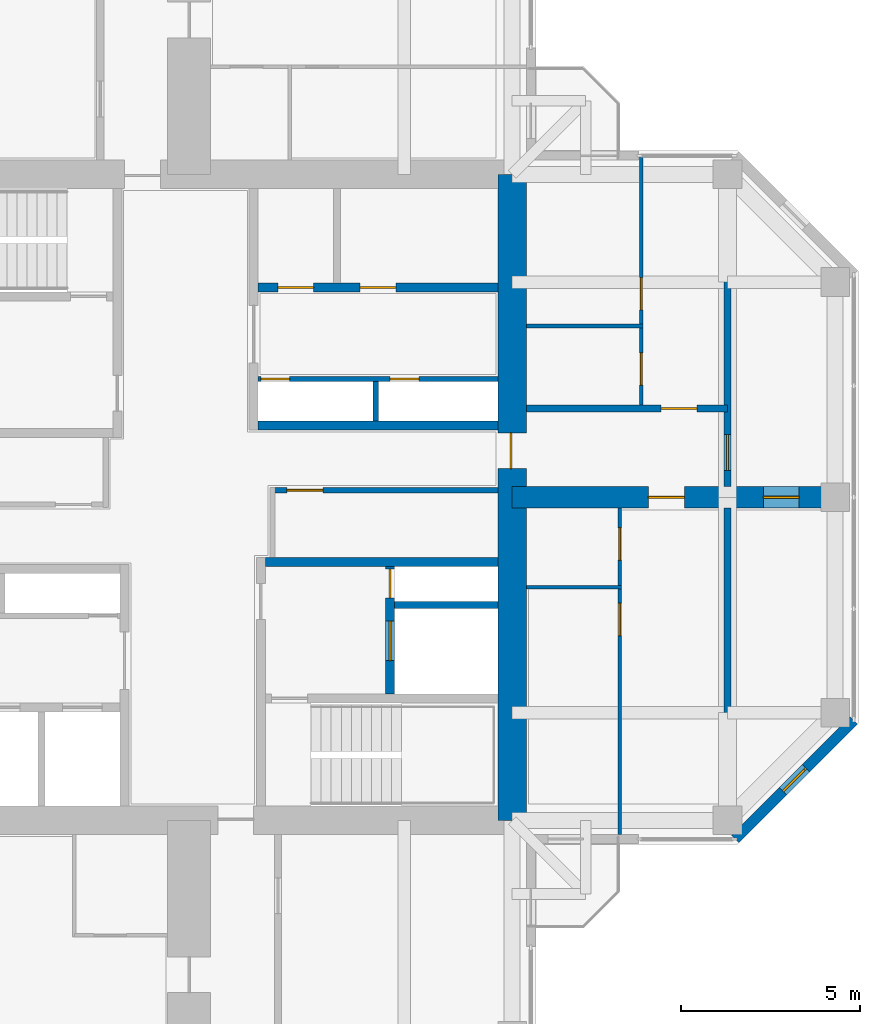
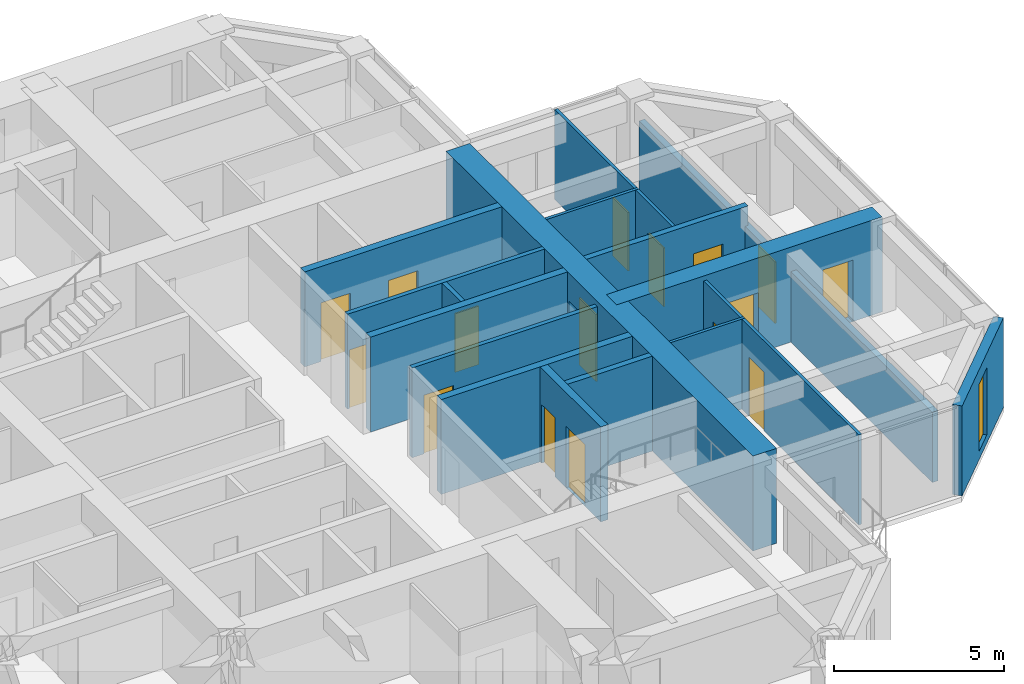
# One storey, part 11 of 13: 18 walls, 16 doors, 1 window, 17 openings.
"""IFC4 building model written with IfcOpenShell, lengths in metres."""

import ifcopenshell
import ifcopenshell.guid

model = None  # the IFC model being written
_history = None  # IfcOwnerHistory: only IFC2X3 demands one
_inside = {}  # id of a spatial element -> (the spatial element, [elements in it])
_under = {}  # id of a project, library or spatial element -> (it, [spatial elements below it])
_declared = {}  # id of a project -> (the project, [libraries it declares])
_typed = {}  # id of a type object -> (the type object, [elements of that type])
_made_of = {}  # id of a material, layer set ... -> (it, [elements and type objects made of it])


def new_model(schema):
    """Start an empty IFC model of exactly this schema.

    Asked for "IFC4X3", IfcOpenShell would pick the latest addendum, in which some entities
    have other attributes; the version numbers below select the first issue.
    IFC2X3 requires an IfcOwnerHistory on every rooted entity: one is made here for all.
    """
    global model, _history
    if schema == "IFC4X3":
        model = ifcopenshell.file(schema_version=(4, 3, 0, 0))
    else:
        model = ifcopenshell.file(schema=schema)
    _inside.clear()
    _under.clear()
    _declared.clear()
    _typed.clear()
    _made_of.clear()
    _history = None
    if model.schema == "IFC2X3":
        org = make("IfcOrganization", Name="unknown")
        user = make(
            "IfcPersonAndOrganization",
            ThePerson=make("IfcPerson", FamilyName="unknown"),
            TheOrganization=org,
        )
        app = make(
            "IfcApplication",
            ApplicationDeveloper=org,
            Version="unknown",
            ApplicationFullName="unknown",
            ApplicationIdentifier="unknown",
        )
        _history = make(
            "IfcOwnerHistory",
            OwningUser=user,
            OwningApplication=app,
            ChangeAction="ADDED",
            CreationDate=0,
        )
    return model


def make(cls, **values):
    """One entity of the class cls with the attributes given. An attribute that is None is left unset."""
    return model.create_entity(
        cls, **{name: value for name, value in values.items() if value is not None}
    )


def rooted(cls, **values):
    """An entity with a GlobalId (a new one), such as an element, a storey or a relation."""
    return make(cls, GlobalId=ifcopenshell.guid.new(), OwnerHistory=_history, **values)


def si_unit(unit_type, name, prefix=None):
    """IfcSIUnit, for example si_unit("LENGTHUNIT", "METRE", prefix="MILLI")."""
    return make("IfcSIUnit", UnitType=unit_type, Prefix=prefix, Name=name)


def assignment(units):
    """IfcUnitAssignment: the units of a project."""
    return None if units is None else make("IfcUnitAssignment", Units=units)


def point(xyz):
    """IfcCartesianPoint."""
    return None if xyz is None else make("IfcCartesianPoint", Coordinates=xyz)


def direction(xyz):
    """IfcDirection."""
    return None if xyz is None else make("IfcDirection", DirectionRatios=xyz)


def frame(location, z_axis=None, x_axis=None):
    """IfcAxis2Placement3D, a coordinate frame: its origin and axes. An axis left out is left unset."""
    return make(
        "IfcAxis2Placement3D",
        Location=point(location),
        Axis=direction(z_axis),
        RefDirection=direction(x_axis),
    )


def frame_2d(location, x_axis=None):
    """IfcAxis2Placement2D, a coordinate frame in the plane: its origin and x axis."""
    return make(
        "IfcAxis2Placement2D", Location=point(location), RefDirection=direction(x_axis)
    )


def origin():
    """The frame at (0, 0, 0) with its axes left unset."""
    return frame((0.0, 0.0, 0.0))


def place(relative_to, where):
    """IfcLocalPlacement: puts the frame where relative to a parent placement (None: the world)."""
    return make(
        "IfcLocalPlacement", PlacementRelTo=relative_to, RelativePlacement=where
    )


def context(
    kind, dimensions, precision=None, world=None, true_north=None, identifier=None
):
    """IfcGeometricRepresentationContext, for example the 3D "Model" context."""
    return make(
        "IfcGeometricRepresentationContext",
        ContextIdentifier=identifier,
        ContextType=kind,
        CoordinateSpaceDimension=dimensions,
        Precision=precision,
        WorldCoordinateSystem=world,
        TrueNorth=true_north,
    )


def subcontext(parent, identifier, kind, view, scale=None):
    """IfcGeometricRepresentationSubContext, for example "Body" below "Model"."""
    return make(
        "IfcGeometricRepresentationSubContext",
        ContextIdentifier=identifier,
        ContextType=kind,
        ParentContext=parent,
        TargetScale=scale,
        TargetView=view,
    )


def project(units=None, contexts=None):
    """IfcProject with its units and contexts."""
    return rooted(
        "IfcProject",
        Name="project",
        RepresentationContexts=contexts,
        UnitsInContext=assignment(units),
    )


def spatial(cls, under=None, at=None, **own):
    """A site, building, storey or space (cls), placed at a placement, below another one or the project."""
    s = rooted(cls, ObjectPlacement=at, **own)
    if under is not None:
        _under.setdefault(under.id(), (under, []))[1].append(s)
    return s


def profile(cls, at=None, kind="AREA", **sizes):
    """A parametric profile (cls). Its sizes go by their IFC names, for example OverallWidth=200.0."""
    return make(cls, ProfileType=kind, Position=at, **sizes)


def rectangle(**sizes):
    """IfcRectangleProfileDef."""
    return profile("IfcRectangleProfileDef", **sizes)


def hollow_rectangle(**sizes):
    """IfcRectangleHollowProfileDef."""
    return profile("IfcRectangleHollowProfileDef", **sizes)


def extrude(swept, where, along, depth):
    """IfcExtrudedAreaSolid: the profile swept, set in the frame where, extruded along a direction by depth."""
    return make(
        "IfcExtrudedAreaSolid",
        SweptArea=swept,
        Position=where,
        ExtrudedDirection=direction(along),
        Depth=depth,
    )


def shape(context_of_items, identifier, shape_type, items):
    """IfcShapeRepresentation: the items that make up one representation, for example the "Body"."""
    return make(
        "IfcShapeRepresentation",
        ContextOfItems=context_of_items,
        RepresentationIdentifier=identifier,
        RepresentationType=shape_type,
        Items=items,
    )


def material(Name=None, Category=None):
    """IfcMaterial."""
    return make("IfcMaterial", Name=Name, Category=Category)


def layer(
    of_material, thickness, ventilated=None, Name=None, Category=None, Priority=None
):
    """IfcMaterialLayer: one layer of a wall or slab, of a material (None: an air gap)."""
    return make(
        "IfcMaterialLayer",
        Material=of_material,
        LayerThickness=thickness,
        IsVentilated=ventilated,
        Name=Name,
        Category=Category,
        Priority=Priority,
    )


def layer_set(layers, Name=None):
    """IfcMaterialLayerSet."""
    return make("IfcMaterialLayerSet", MaterialLayers=layers, LayerSetName=Name)


def constituent(of_material, Name=None, Category=None, fraction=None):
    """IfcMaterialConstituent: one of the materials an element consists of."""
    return make(
        "IfcMaterialConstituent",
        Name=Name,
        Material=of_material,
        Fraction=fraction,
        Category=Category,
    )


def constituent_set(constituents=None, Name=None):
    """IfcMaterialConstituentSet."""
    return make(
        "IfcMaterialConstituentSet", Name=Name, MaterialConstituents=constituents
    )


def made_of(thing, what):
    """Note that an element or type object is made of a material, layer set ...; save() writes the relation."""
    if what is not None:
        _made_of.setdefault(what.id(), (what, []))[1].append(thing)
    return thing


def type_object(cls, material=None, **own):
    """A type object (cls), such as IfcWallType, which elements share."""
    return made_of(rooted(cls, **own), material)


def element(
    cls,
    number,
    at=None,
    inside=None,
    cuts=None,
    type_object=None,
    material=None,
    context=None,
    identifier="Body",
    shape_type=None,
    held_by="IfcProductDefinitionShape",
    body=None,
    shapes=None,
    **own,
):
    """One element of the class cls, such as IfcWall. Its Tag is "e" and its number.

    at: its placement. inside: the storey or other place that contains it. cuts: it is an
    opening in that element (IfcRelVoidsElement). A single representation is given by context,
    identifier, shape_type and body (its items); several are given by shapes. held_by: the class
    of the entity that holds the representations. save() writes the other relations.
    """
    e = rooted(cls, Tag="e%d" % number, ObjectPlacement=at, **own)
    if body is not None:
        shapes = [shape(context, identifier, shape_type, body)]
    if shapes is not None:
        e.Representation = make(held_by, Representations=shapes)
    if inside is not None:
        _inside.setdefault(inside.id(), (inside, []))[1].append(e)
    if cuts is not None:
        rooted(
            "IfcRelVoidsElement", RelatingBuildingElement=cuts, RelatedOpeningElement=e
        )
    if type_object is not None:
        _typed.setdefault(type_object.id(), (type_object, []))[1].append(e)
    return made_of(e, material)


def fill(opening, filler):
    """IfcRelFillsElement: the door or window that sits in an opening."""
    return rooted(
        "IfcRelFillsElement",
        RelatingOpeningElement=opening,
        RelatedBuildingElement=filler,
    )


def aggregate(whole, parts):
    """IfcRelAggregates: a whole, such as a stair, and the parts it consists of."""
    return rooted("IfcRelAggregates", RelatingObject=whole, RelatedObjects=parts)


def save(model, path):
    """Write the relations noted so far, then the file.

    IfcRelAggregates (storeys below a building ...), IfcRelContainedInSpatialStructure (elements
    in a storey), IfcRelDefinesByType, IfcRelAssociatesMaterial and IfcRelDeclares: one each for
    every whole, place, type object, material and project.
    """
    for whole, parts in _under.values():
        aggregate(whole, parts)
    for where, things in _inside.values():
        rooted(
            "IfcRelContainedInSpatialStructure",
            RelatedElements=things,
            RelatingStructure=where,
        )
    for kind, things in _typed.values():
        rooted("IfcRelDefinesByType", RelatedObjects=things, RelatingType=kind)
    for what, things in _made_of.values():
        rooted("IfcRelAssociatesMaterial", RelatedObjects=things, RelatingMaterial=what)
    for by, libraries in _declared.values():
        rooted("IfcRelDeclares", RelatingContext=by, RelatedDefinitions=libraries)
    model.write(path)


model = new_model("IFC4")

# Units and contexts
model_context = context("Model", 3, precision=1e-05, world=origin(), true_north=direction((0.0, 1.0)))
body_context = subcontext(model_context, "Body", "Model", "MODEL_VIEW")
ifc_project = project(units=[si_unit("LENGTHUNIT", "METRE"), si_unit("AREAUNIT", "SQUARE_METRE"), si_unit("VOLUMEUNIT", "CUBIC_METRE"), si_unit("PLANEANGLEUNIT", "RADIAN"), si_unit("MASSUNIT", "GRAM", prefix="KILO")], contexts=[model_context])

# Site, building, storey
site_placement = place(None, origin())
site = spatial("IfcSite", under=ifc_project, at=site_placement, CompositionType="ELEMENT")
building_placement = place(site_placement, origin())
building = spatial("IfcBuilding", under=site, at=building_placement, Name="Torre Cruceta", CompositionType="ELEMENT")
storey_placement = place(building_placement, frame((0.0, 0.0, 245.89990234375)))
storey = spatial("IfcBuildingStorey", under=building, at=storey_placement, Name="L63", CompositionType="ELEMENT", Elevation=245.89990234375)

# Wall
ifc_material_1 = material(Name="Water-resistant plasterboard on steel studs", Category="steel")
ifc_layer_1 = layer(ifc_material_1, 0.10009765625)
ifc_layer_set_1 = layer_set([ifc_layer_1], Name="Water-resistant plasterboard on steel studs")
wall_type_1 = type_object("IfcWallType", Name="BATHROOM WALL 100", PredefinedType="PARTITIONING", material=ifc_layer_set_1)
wall_1_placement = place(storey_placement, frame((9.39990234375, 4.77490234375, 0.0), z_axis=(0.0, 0.0, 1.0), x_axis=(1.0, 0.0, 0.0)))
element("IfcWall", 1, at=wall_1_placement, inside=storey, type_object=wall_type_1, Name="PT4 L63-E-U1LBB", PredefinedType="PARTITIONING", context=body_context, shape_type="SweptSolid", body=[
    extrude(rectangle(XDim=3.25, YDim=0.10009765625, at=frame_2d((1.625, 0.0))), origin(), (0.0, 0.0, 1.0), 3.22021484375),
])

# Wall, openings, doors
wall_2_placement = place(storey_placement, frame((12.60009765625, 2.574951171875, 0.0), z_axis=(0.0, 0.0, 1.0), x_axis=(0.0, 1.0, 0.0)))
wall_2 = element("IfcWall", 2, at=wall_2_placement, inside=storey, type_object=wall_type_1, Name="PT4 L63-E-U1LBS", PredefinedType="PARTITIONING", context=body_context, shape_type="SweptSolid", body=[
    extrude(rectangle(XDim=6.905029296875, YDim=0.10009765625, at=frame_2d((3.45263671875, 0.0))), origin(), (0.0, 0.0, 1.0), 3.22021484375),
])
opening_1_placement = place(wall_2_placement, frame((0.550048828125, 0.0, 0.0)))
opening_1 = element("IfcOpeningElement", 3, at=opening_1_placement, cuts=wall_2, Name="Opening D7", PredefinedType="OPENING", context=body_context, shape_type="SweptSolid", body=[
    extrude(rectangle(XDim=0.89990234375, YDim=2.10009765625, at=frame_2d((0.449951171875, 1.050048828125))), frame((0.0, 0.06005859375, 0.0), z_axis=(0.0, -1.0, 0.0), x_axis=(1.0, 0.0, 0.0)), (0.0, 0.0, 1.0), 0.1201171875),
])
opening_2_placement = place(wall_2_placement, frame((2.64990234375, 0.0, 0.0)))
opening_2 = element("IfcOpeningElement", 4, at=opening_2_placement, cuts=wall_2, Name="Opening D7", PredefinedType="OPENING", context=body_context, shape_type="SweptSolid", body=[
    extrude(rectangle(XDim=0.89990234375, YDim=2.10009765625, at=frame_2d((0.449951171875, 1.050048828125))), frame((0.0, 0.06005859375, 0.0), z_axis=(0.0, -1.0, 0.0), x_axis=(1.0, 0.0, 0.0)), (0.0, 0.0, 1.0), 0.1201171875),
])
ifc_material_2 = material(Name="Timber door", Category="wood")
door_type_1 = type_object("IfcDoorType", Name="BATHROOM DOOR 900X2100", OperationType="SINGLE_SWING_LEFT", PredefinedType="DOOR", material=ifc_material_2)
door_1_placement = place(opening_1_placement, origin())
door_1 = element("IfcDoor", 5, at=door_1_placement, inside=storey, type_object=door_type_1, Name="D7 L63-E-U1LBS-D1", OperationType="SINGLE_SWING_LEFT", OverallHeight=2.10009765625, OverallWidth=0.89990234375, PredefinedType="DOOR", context=body_context, shape_type="SweptSolid", body=[
    extrude(rectangle(XDim=0.89990234375, YDim=2.10009765625, at=frame_2d((0.449951171875, 1.050048828125))), frame((0.0, 0.02490234375, 0.0), z_axis=(0.0, -1.0, 0.0), x_axis=(1.0, 0.0, 0.0)), (0.0, 0.0, 1.0), 0.050048828125),
])
fill(opening_1, door_1)
door_2_placement = place(opening_2_placement, origin())
door_2 = element("IfcDoor", 6, at=door_2_placement, inside=storey, type_object=door_type_1, Name="D7 L63-E-U1LBS-D2", OperationType="SINGLE_SWING_LEFT", OverallHeight=2.10009765625, OverallWidth=0.89990234375, PredefinedType="DOOR", context=body_context, shape_type="SweptSolid", body=[
    extrude(rectangle(XDim=0.89990234375, YDim=2.10009765625, at=frame_2d((0.449951171875, 1.050048828125))), frame((0.0, 0.02490234375, 0.0), z_axis=(0.0, -1.0, 0.0), x_axis=(1.0, 0.0, 0.0)), (0.0, 0.0, 1.0), 0.050048828125),
])
fill(opening_2, door_2)

# Wall
wall_3_placement = place(storey_placement, frame((9.39990234375, -2.5, 0.0), z_axis=(0.0, 0.0, 1.0), x_axis=(1.0, 0.0, 0.0)))
element("IfcWall", 7, at=wall_3_placement, inside=storey, type_object=wall_type_1, Name="PT4 L63-E-U1RBB", PredefinedType="PARTITIONING", context=body_context, shape_type="SweptSolid", body=[
    extrude(rectangle(XDim=2.650146484375, YDim=0.10009765625, at=frame_2d((1.3251953125, 0.0))), origin(), (0.0, 0.0, 1.0), 3.22021484375),
])

# Wall, openings, doors
wall_4_placement = place(storey_placement, frame((12.0, -9.39501953125, 0.0), z_axis=(0.0, 0.0, 1.0), x_axis=(0.0, 1.0, 0.0)))
wall_4 = element("IfcWall", 8, at=wall_4_placement, inside=storey, type_object=wall_type_1, Name="PT4 L63-E-U1RBS", PredefinedType="PARTITIONING", context=body_context, shape_type="SweptSolid", body=[
    extrude(rectangle(XDim=9.094970703125, YDim=0.10009765625, at=frame_2d((4.54736328125, 0.0))), origin(), (0.0, 0.0, 1.0), 3.22021484375),
])
opening_3_placement = place(wall_4_placement, frame((5.544921875, 0.0, 0.0)))
opening_3 = element("IfcOpeningElement", 9, at=opening_3_placement, cuts=wall_4, Name="Opening D7", PredefinedType="OPENING", context=body_context, shape_type="SweptSolid", body=[
    extrude(rectangle(XDim=0.89990234375, YDim=2.10009765625, at=frame_2d((0.449951171875, 1.050048828125))), frame((0.0, 0.06005859375, 0.0), z_axis=(0.0, -1.0, 0.0), x_axis=(1.0, 0.0, 0.0)), (0.0, 0.0, 1.0), 0.1201171875),
])
opening_4_placement = place(wall_4_placement, frame((7.64501953125, 0.0, 0.0)))
opening_4 = element("IfcOpeningElement", 10, at=opening_4_placement, cuts=wall_4, Name="Opening D7", PredefinedType="OPENING", context=body_context, shape_type="SweptSolid", body=[
    extrude(rectangle(XDim=0.89990234375, YDim=2.10009765625, at=frame_2d((0.449951171875, 1.050048828125))), frame((0.0, 0.06005859375, 0.0), z_axis=(0.0, -1.0, 0.0), x_axis=(1.0, 0.0, 0.0)), (0.0, 0.0, 1.0), 0.1201171875),
])
door_3_placement = place(opening_3_placement, origin())
door_3 = element("IfcDoor", 11, at=door_3_placement, inside=storey, type_object=door_type_1, Name="D7 L63-E-U1RBS-D1", OperationType="SINGLE_SWING_RIGHT", OverallHeight=2.10009765625, OverallWidth=0.89990234375, PredefinedType="DOOR", context=body_context, shape_type="SweptSolid", body=[
    extrude(rectangle(XDim=0.89990234375, YDim=2.10009765625, at=frame_2d((0.449951171875, 1.050048828125))), frame((0.0, 0.02490234375, 0.0), z_axis=(0.0, -1.0, 0.0), x_axis=(1.0, 0.0, 0.0)), (0.0, 0.0, 1.0), 0.050048828125),
])
fill(opening_3, door_3)
door_4_placement = place(opening_4_placement, origin())
door_4 = element("IfcDoor", 12, at=door_4_placement, inside=storey, type_object=door_type_1, Name="D7 L63-E-U1RBS-D2", OperationType="SINGLE_SWING_RIGHT", OverallHeight=2.10009765625, OverallWidth=0.89990234375, PredefinedType="DOOR", context=body_context, shape_type="SweptSolid", body=[
    extrude(rectangle(XDim=0.89990234375, YDim=2.10009765625, at=frame_2d((0.449951171875, 1.050048828125))), frame((0.0, 0.02490234375, 0.0), z_axis=(0.0, -1.0, 0.0), x_axis=(1.0, 0.0, 0.0)), (0.0, 0.0, 1.0), 0.050048828125),
])
fill(opening_4, door_4)

# Wall
ifc_material_3 = material(Name="Concrete G60 (fck 60 MPa)", Category="concrete")
ifc_layer_2 = layer(ifc_material_3, 0.25)
ifc_layer_set_2 = layer_set([ifc_layer_2], Name="Concrete G60 (fck 60 MPa)")
wall_type_2 = type_object("IfcWallType", Name="CORE INNER WALL 250 G60", PredefinedType="SHEAR", material=ifc_layer_set_2)
wall_5_placement = place(storey_placement, frame((1.925048828125, 2.0, 0.0), z_axis=(0.0, 0.0, 1.0), x_axis=(1.0, 0.0, 0.0)))
element("IfcWall", 13, at=wall_5_placement, inside=storey, type_object=wall_type_2, Name="CW4 L63 NE-CV", PredefinedType="SHEAR", context=body_context, shape_type="SweptSolid", body=[
    extrude(rectangle(XDim=6.675048828125, YDim=0.25, at=frame_2d((3.33740234375, 0.0))), origin(), (0.0, 0.0, 1.0), 3.400146484375),
])

# Wall, openings, doors
wall_6_placement = place(storey_placement, frame((1.925048828125, 5.85009765625, 0.0), z_axis=(0.0, 0.0, 1.0), x_axis=(1.0, 0.0, 0.0)))
wall_6 = element("IfcWall", 14, at=wall_6_placement, inside=storey, type_object=wall_type_2, Name="CW4 L63 NE-LV", PredefinedType="SHEAR", context=body_context, shape_type="SweptSolid", body=[
    extrude(rectangle(XDim=6.675048828125, YDim=0.25, at=frame_2d((3.33740234375, 0.0))), origin(), (0.0, 0.0, 1.0), 3.400146484375),
])
opening_5_placement = place(wall_6_placement, frame((0.5458984375, 0.0, 0.0)))
opening_5 = element("IfcOpeningElement", 15, at=opening_5_placement, cuts=wall_6, Name="Opening D3", PredefinedType="OPENING", context=body_context, shape_type="SweptSolid", body=[
    extrude(rectangle(XDim=1.0, YDim=2.10009765625, at=frame_2d((0.5, 1.050048828125))), frame((0.0, 0.135009765625, 0.0), z_axis=(0.0, -1.0, 0.0), x_axis=(1.0, 0.0, 0.0)), (0.0, 0.0, 1.0), 0.27001953125),
])
opening_6_placement = place(wall_6_placement, frame((2.83740234375, 0.0, 0.0)))
opening_6 = element("IfcOpeningElement", 16, at=opening_6_placement, cuts=wall_6, Name="Opening D3", PredefinedType="OPENING", context=body_context, shape_type="SweptSolid", body=[
    extrude(rectangle(XDim=1.0, YDim=2.10009765625, at=frame_2d((0.5, 1.050048828125))), frame((0.0, 0.135009765625, 0.0), z_axis=(0.0, -1.0, 0.0), x_axis=(1.0, 0.0, 0.0)), (0.0, 0.0, 1.0), 0.27001953125),
])
ifc_material_4 = material(Name="Steel DX51D", Category="steel")
ifc_constituent_1 = constituent(ifc_material_4, Name="Leaf and frame")
ifc_material_5 = material(Name="Polyester powder coating", Category="paint")
ifc_constituent_2 = constituent(ifc_material_5, Name="Finish")
ifc_constituent_set_1 = constituent_set(constituents=[ifc_constituent_1, ifc_constituent_2], Name="Steel fire door")
door_type_2 = type_object("IfcDoorType", Name="FIRE DOOR 1000X2100", OperationType="SINGLE_SWING_LEFT", PredefinedType="DOOR", material=ifc_constituent_set_1)
door_5_placement = place(opening_5_placement, origin())
door_5 = element("IfcDoor", 17, at=door_5_placement, inside=storey, type_object=door_type_2, Name="D3 L63 NE-HR1", OperationType="SINGLE_SWING_LEFT", OverallHeight=2.10009765625, OverallWidth=1.0, PredefinedType="DOOR", context=body_context, shape_type="SweptSolid", body=[
    extrude(rectangle(XDim=1.0, YDim=2.10009765625, at=frame_2d((0.5, 1.050048828125))), frame((0.0, 0.02490234375, 0.0), z_axis=(0.0, -1.0, 0.0), x_axis=(1.0, 0.0, 0.0)), (0.0, 0.0, 1.0), 0.050048828125),
])
fill(opening_5, door_5)
door_6_placement = place(opening_6_placement, origin())
door_6 = element("IfcDoor", 18, at=door_6_placement, inside=storey, type_object=door_type_2, Name="D3 L63 NE-HR2", OperationType="SINGLE_SWING_LEFT", OverallHeight=2.10009765625, OverallWidth=1.0, PredefinedType="DOOR", context=body_context, shape_type="SweptSolid", body=[
    extrude(rectangle(XDim=1.0, YDim=2.10009765625, at=frame_2d((0.5, 1.050048828125))), frame((0.0, 0.02490234375, 0.0), z_axis=(0.0, -1.0, 0.0), x_axis=(1.0, 0.0, 0.0)), (0.0, 0.0, 1.0), 0.050048828125),
])
fill(opening_6, door_6)

# Wall
wall_7_placement = place(storey_placement, frame((2.125, -1.800048828125, 0.0), z_axis=(0.0, 0.0, 1.0), x_axis=(1.0, 0.0, 0.0)))
element("IfcWall", 19, at=wall_7_placement, inside=storey, type_object=wall_type_2, Name="CW4 L63 SE-CV", PredefinedType="SHEAR", context=body_context, shape_type="SweptSolid", body=[
    extrude(rectangle(XDim=6.47509765625, YDim=0.25, at=frame_2d((3.237548828125, 0.0))), origin(), (0.0, 0.0, 1.0), 3.400146484375),
])

# Wall, openings, doors
wall_8_placement = place(storey_placement, frame((5.60009765625, -1.925048828125, 0.0), z_axis=(0.0, 0.0, 1.0), x_axis=(0.0, -1.0, 0.0)))
wall_8 = element("IfcWall", 20, at=wall_8_placement, inside=storey, type_object=wall_type_2, Name="CW4 L63 SE-FU", PredefinedType="SHEAR", context=body_context, shape_type="SweptSolid", body=[
    extrude(rectangle(XDim=3.550048828125, YDim=0.25, at=frame_2d((1.77490234375, 0.0))), origin(), (0.0, 0.0, 1.0), 3.400146484375),
])
opening_7_placement = place(wall_8_placement, frame((1.52490234375, 0.0, 0.0)))
opening_7 = element("IfcOpeningElement", 21, at=opening_7_placement, cuts=wall_8, Name="Opening LD1", PredefinedType="OPENING", context=body_context, shape_type="SweptSolid", body=[
    extrude(rectangle(XDim=1.10009765625, YDim=2.199951171875, at=frame_2d((0.550048828125, 1.10009765625))), frame((0.0, 0.135009765625, 0.0), z_axis=(0.0, -1.0, 0.0), x_axis=(1.0, 0.0, 0.0)), (0.0, 0.0, 1.0), 0.27001953125),
])
opening_8_placement = place(wall_8_placement, frame((0.074951171875, 0.0, 0.0)))
opening_8 = element("IfcOpeningElement", 22, at=opening_8_placement, cuts=wall_8, Name="Opening D5", PredefinedType="OPENING", context=body_context, shape_type="SweptSolid", body=[
    extrude(rectangle(XDim=0.800048828125, YDim=2.10009765625, at=frame_2d((0.39990234375, 1.050048828125))), frame((0.0, 0.135009765625, 0.0), z_axis=(0.0, -1.0, 0.0), x_axis=(1.0, 0.0, 0.0)), (0.0, 0.0, 1.0), 0.27001953125),
])
ifc_material_6 = material(Name="Stainless steel 1.4401", Category="steel")
door_type_3 = type_object("IfcDoorType", Name="LIFT LANDING DOOR 1100X2200", OperationType="DOUBLE_DOOR_SLIDING", PredefinedType="DOOR", material=ifc_material_6)
door_7_placement = place(opening_7_placement, origin())
door_7 = element("IfcDoor", 23, at=door_7_placement, inside=storey, type_object=door_type_3, Name="Lift landing door FL2", OperationType="DOUBLE_DOOR_SLIDING", OverallHeight=2.199951171875, OverallWidth=1.10009765625, PredefinedType="DOOR", context=body_context, shape_type="SweptSolid", body=[
    extrude(rectangle(XDim=1.10009765625, YDim=2.199951171875, at=frame_2d((0.550048828125, 1.10009765625))), frame((0.0, 0.02490234375, 0.0), z_axis=(0.0, -1.0, 0.0), x_axis=(1.0, 0.0, 0.0)), (0.0, 0.0, 1.0), 0.050048828125),
])
fill(opening_7, door_7)
ifc_material_7 = material(Name="Steel DX51D", Category="steel")
ifc_constituent_3 = constituent(ifc_material_7, Name="Leaf and frame")
ifc_material_8 = material(Name="Polyester powder coating", Category="paint")
ifc_constituent_4 = constituent(ifc_material_8, Name="Finish")
ifc_constituent_set_2 = constituent_set(constituents=[ifc_constituent_3, ifc_constituent_4], Name="Steel fire door")
door_type_4 = type_object("IfcDoorType", Name="RISER ACCESS DOOR 800X2100", OperationType="SINGLE_SWING_LEFT", PredefinedType="DOOR", material=ifc_constituent_set_2)
door_8_placement = place(opening_8_placement, origin())
door_8 = element("IfcDoor", 24, at=door_8_placement, inside=storey, type_object=door_type_4, Name="D5 L63 SE-RISER", OperationType="SINGLE_SWING_LEFT", OverallHeight=2.10009765625, OverallWidth=0.800048828125, PredefinedType="DOOR", context=body_context, shape_type="SweptSolid", body=[
    extrude(rectangle(XDim=0.800048828125, YDim=2.10009765625, at=frame_2d((0.39990234375, 1.050048828125))), frame((0.0, 0.02490234375, 0.0), z_axis=(0.0, -1.0, 0.0), x_axis=(1.0, 0.0, 0.0)), (0.0, 0.0, 1.0), 0.050048828125),
])
fill(opening_8, door_8)

# Wall, opening, door
ifc_material_9 = material(Name="Concrete G60 (fck 60 MPa)", Category="concrete")
ifc_layer_3 = layer(ifc_material_9, 0.800048828125)
ifc_layer_set_3 = layer_set([ifc_layer_3], Name="Concrete G60 (fck 60 MPa)")
wall_type_3 = type_object("IfcWallType", Name="CORE WALL 800 G60", PredefinedType="SHEAR", material=ifc_layer_set_3)
wall_9_placement = place(storey_placement, frame((9.0, -9.0, 0.0), z_axis=(0.0, 0.0, 1.0), x_axis=(0.0, 1.0, 0.0)))
wall_9 = element("IfcWall", 25, at=wall_9_placement, inside=storey, type_object=wall_type_3, Name="CW3 L63 CW-E", PredefinedType="SHEAR", context=body_context, shape_type="SweptSolid", body=[
    extrude(rectangle(XDim=18.0, YDim=0.800048828125, at=frame_2d((9.0, 0.0))), origin(), (0.0, 0.0, 1.0), 3.400146484375),
])
opening_9_placement = place(wall_9_placement, frame((9.800048828125, 0.0, 0.0)))
opening_9 = element("IfcOpeningElement", 26, at=opening_9_placement, cuts=wall_9, Name="Opening D4", PredefinedType="OPENING", context=body_context, shape_type="SweptSolid", body=[
    extrude(rectangle(XDim=1.0, YDim=2.39990234375, at=frame_2d((0.5, 1.199951171875))), frame((0.0, 0.409912109375, 0.0), z_axis=(0.0, -1.0, 0.0), x_axis=(1.0, 0.0, 0.0)), (0.0, 0.0, 1.0), 0.820068359375),
])
ifc_material_10 = material(Name="Steel DX51D", Category="steel")
ifc_constituent_5 = constituent(ifc_material_10, Name="Leaf and frame")
ifc_material_11 = material(Name="Polyester powder coating", Category="paint")
ifc_constituent_6 = constituent(ifc_material_11, Name="Finish")
ifc_constituent_set_3 = constituent_set(constituents=[ifc_constituent_5, ifc_constituent_6], Name="Steel fire door")
door_type_5 = type_object("IfcDoorType", Name="CORE ARM DOOR 1000X2400", OperationType="SINGLE_SWING_RIGHT", PredefinedType="DOOR", material=ifc_constituent_set_3)
door_9_placement = place(opening_9_placement, origin())
door_9 = element("IfcDoor", 27, at=door_9_placement, inside=storey, type_object=door_type_5, Name="D4 L63 CW-E", OperationType="SINGLE_SWING_RIGHT", OverallHeight=2.39990234375, OverallWidth=1.0, PredefinedType="DOOR", context=body_context, shape_type="SweptSolid", body=[
    extrude(rectangle(XDim=1.0, YDim=2.39990234375, at=frame_2d((0.5, 1.199951171875))), frame((0.0, 0.05517578125, 0.0), z_axis=(0.0, -1.0, 0.0), x_axis=(1.0, 0.0, 0.0)), (0.0, 0.0, 1.0), 0.050048828125),
])
fill(opening_9, door_9)

ifc_material_12 = material(Name="Concrete G25 (fck 25 MPa)", Category="concrete")
ifc_layer_4 = layer(ifc_material_12, 0.199951171875)
ifc_layer_set_4 = layer_set([ifc_layer_4], Name="Concrete G25 (fck 25 MPa)")
wall_type_4 = type_object("IfcWallType", Name="CORRIDOR WALL 200", PredefinedType="SOLIDWALL", material=ifc_layer_set_4)
wall_10_placement = place(storey_placement, frame((9.39990234375, 2.47509765625, 0.0), z_axis=(0.0, 0.0, 1.0), x_axis=(1.0, 0.0, 0.0)))
wall_10 = element("IfcWall", 28, at=wall_10_placement, inside=storey, type_object=wall_type_4, Name="PT3 L63-E-CL", PredefinedType="SOLIDWALL", context=body_context, shape_type="SweptSolid", body=[
    extrude(rectangle(XDim=5.60009765625, YDim=0.199951171875, at=frame_2d((2.800048828125, 0.0))), origin(), (0.0, 0.0, 1.0), 3.22021484375),
])
opening_10_placement = place(wall_10_placement, frame((3.75, 0.0, 0.0)))
opening_10 = element("IfcOpeningElement", 29, at=opening_10_placement, cuts=wall_10, Name="Opening D6", PredefinedType="OPENING", context=body_context, shape_type="SweptSolid", body=[
    extrude(rectangle(XDim=1.0, YDim=2.14990234375, at=frame_2d((0.5, 1.074951171875))), frame((0.0, 0.10986328125, 0.0), z_axis=(0.0, -1.0, 0.0), x_axis=(1.0, 0.0, 0.0)), (0.0, 0.0, 1.0), 0.219970703125),
])
ifc_material_13 = material(Name="Timber fire door", Category="wood")
door_type_6 = type_object("IfcDoorType", Name="UNIT ENTRANCE DOOR 1000X2150", OperationType="SINGLE_SWING_LEFT", PredefinedType="DOOR", material=ifc_material_13)
door_10_placement = place(opening_10_placement, origin())
door_10 = element("IfcDoor", 30, at=door_10_placement, inside=storey, type_object=door_type_6, Name="D6 L63-E-CL-D1", OperationType="SINGLE_SWING_LEFT", OverallHeight=2.14990234375, OverallWidth=1.0, PredefinedType="DOOR", context=body_context, shape_type="SweptSolid", body=[
    extrude(rectangle(XDim=1.0, YDim=2.14990234375, at=frame_2d((0.5, 1.074951171875))), frame((0.0, 0.02490234375, 0.0), z_axis=(0.0, -1.0, 0.0), x_axis=(1.0, 0.0, 0.0)), (0.0, 0.0, 1.0), 0.050048828125),
])
fill(opening_10, door_10)

# Wall, opening, window
ifc_material_14 = material(Name="Concrete G30 (fck 30 MPa)", Category="concrete")
ifc_layer_5 = layer(ifc_material_14, 0.300048828125)
ifc_layer_set_5 = layer_set([ifc_layer_5], Name="Concrete G30 (fck 30 MPa)")
wall_type_5 = type_object("IfcWallType", Name="EXPOSED CONCRETE FACADE WALL 300", PredefinedType="SOLIDWALL", material=ifc_layer_set_5)
wall_11_placement = place(storey_placement, frame((15.21533203125, -9.52001953125, 0.0), z_axis=(0.0, 0.0, 1.0), x_axis=(0.707106781187, 0.707106781187, 0.0)))
wall_11 = element("IfcWall", 31, at=wall_11_placement, inside=storey, type_object=wall_type_5, Name="EW1 facade wall L63 E chamfer 01", PredefinedType="SOLIDWALL", context=body_context, shape_type="SweptSolid", body=[
    extrude(rectangle(XDim=4.673583984375, YDim=0.300048828125, at=frame_2d((2.3369140625, 0.0))), origin(), (0.0, 0.0, 1.0), 3.22021484375),
])
opening_11_placement = place(wall_11_placement, frame((1.88671875, 0.0, 0.300048828125)))
opening_11 = element("IfcOpeningElement", 32, at=opening_11_placement, cuts=wall_11, Name="Opening WN5", PredefinedType="OPENING", context=body_context, shape_type="SweptSolid", body=[
    extrude(rectangle(XDim=0.89990234375, YDim=2.39990234375, at=frame_2d((0.449951171875, 1.199951171875))), frame((0.0, 0.159912109375, 0.0), z_axis=(0.0, -1.0, 0.0), x_axis=(1.0, 0.0, 0.0)), (0.0, 0.0, 1.0), 0.320068359375),
])
ifc_material_15 = material(Name="Aluminium window frame", Category="aluminium")
ifc_constituent_7 = constituent(ifc_material_15, Name="Frame")
ifc_material_16 = material(Name="Laminated insulating glass unit, low-iron clear", Category="glass")
ifc_constituent_8 = constituent(ifc_material_16, Name="Glazing")
ifc_constituent_set_4 = constituent_set(constituents=[ifc_constituent_7, ifc_constituent_8], Name="Aluminium window")
window_type = type_object("IfcWindowType", Name="CHAMFER SLOT WINDOW 900X2400", PartitioningType="SINGLE_PANEL", PredefinedType="WINDOW", material=ifc_constituent_set_4)
window_placement = place(opening_11_placement, origin())
window = element("IfcWindow", 33, at=window_placement, inside=storey, type_object=window_type, Name="WN5 L63 E 1", OverallHeight=2.39990234375, OverallWidth=0.89990234375, PartitioningType="SINGLE_PANEL", PredefinedType="WINDOW", context=body_context, shape_type="SweptSolid", body=[
    extrude(hollow_rectangle(XDim=0.89990234375, YDim=2.39990234375, WallThickness=0.06005859375, at=frame_2d((0.449951171875, 1.199951171875))), frame((0.0, 0.030029296875, 0.0), z_axis=(0.0, -1.0, 0.0), x_axis=(1.0, 0.0, 0.0)), (0.0, 0.0, 1.0), 0.06005859375),
    extrude(rectangle(XDim=0.77880859375, YDim=2.27880859375, at=frame_2d((0.449951171875, 1.199951171875))), frame((0.0, 0.030029296875, 0.0), z_axis=(0.0, -1.0, 0.0), x_axis=(1.0, 0.0, 0.0)), (0.0, 0.0, 1.0), 0.06005859375),
])
fill(opening_11, window)

# Wall
ifc_material_17 = material(Name="Concrete G35 (fck 35 MPa)", Category="concrete")
ifc_layer_6 = layer(ifc_material_17, 0.199951171875)
ifc_layer_set_6 = layer_set([ifc_layer_6], Name="Concrete G35 (fck 35 MPa)")
wall_type_6 = type_object("IfcWallType", Name="LIFT SHAFT WALL 200", PredefinedType="PARTITIONING", material=ifc_layer_set_6)
wall_12_placement = place(storey_placement, frame((5.72509765625, -3.0, 0.0), z_axis=(0.0, 0.0, 1.0), x_axis=(1.0, 0.0, 0.0)))
element("IfcWall", 34, at=wall_12_placement, inside=storey, type_object=wall_type_6, Name="SW1 L63 SE-FR", PredefinedType="PARTITIONING", context=body_context, shape_type="SweptSolid", body=[
    extrude(rectangle(XDim=2.875, YDim=0.199951171875, at=frame_2d((1.4375, 0.0))), origin(), (0.0, 0.0, 1.0), 3.400146484375),
])

# Wall, opening, door
ifc_material_18 = material(Name="Plasterboard on steel studs", Category="steel")
ifc_layer_7 = layer(ifc_material_18, 0.14990234375)
ifc_layer_set_7 = layer_set([ifc_layer_7], Name="Plasterboard on steel studs")
wall_type_7 = type_object("IfcWallType", Name="PARTITION 150", PredefinedType="PARTITIONING", material=ifc_layer_set_7)
wall_13_placement = place(storey_placement, frame((2.324951171875, 0.199951171875, 0.0), z_axis=(0.0, 0.0, 1.0), x_axis=(1.0, 0.0, 0.0)))
wall_13 = element("IfcWall", 35, at=wall_13_placement, inside=storey, type_object=wall_type_7, Name="PT1 L63-CORE-LEGE-S-W1", PredefinedType="PARTITIONING", context=body_context, shape_type="SweptSolid", body=[
    extrude(rectangle(XDim=6.275146484375, YDim=0.14990234375, at=frame_2d((3.1376953125, 0.0))), origin(), (0.0, 0.0, 1.0), 3.22021484375),
])
opening_12_placement = place(wall_13_placement, frame((0.39990234375, 0.0, 0.0)))
opening_12 = element("IfcOpeningElement", 36, at=opening_12_placement, cuts=wall_13, Name="Opening D3", PredefinedType="OPENING", context=body_context, shape_type="SweptSolid", body=[
    extrude(rectangle(XDim=1.0, YDim=2.10009765625, at=frame_2d((0.5, 1.050048828125))), frame((0.0, 0.0849609375, 0.0), z_axis=(0.0, -1.0, 0.0), x_axis=(1.0, 0.0, 0.0)), (0.0, 0.0, 1.0), 0.169921875),
])
door_11_placement = place(opening_12_placement, frame((1.0, 0.0, 0.0), z_axis=(0.0, 0.0, 1.0), x_axis=(-1.0, 0.0, 0.0)))
door_11 = element("IfcDoor", 37, at=door_11_placement, inside=storey, type_object=door_type_2, Name="D3 L63-CORE-LEGE-S-W1-D1", OperationType="SINGLE_SWING_RIGHT", OverallHeight=2.10009765625, OverallWidth=1.0, PredefinedType="DOOR", context=body_context, shape_type="SweptSolid", body=[
    extrude(rectangle(XDim=1.0, YDim=2.10009765625, at=frame_2d((0.5, 1.050048828125))), frame((0.0, 0.025146484375, 0.0), z_axis=(0.0, -1.0, 0.0), x_axis=(1.0, 0.0, 0.0)), (0.0, 0.0, 1.0), 0.050048828125),
])
fill(opening_12, door_11)

# Wall, openings, doors
ifc_material_19 = material(Name="Concrete block masonry", Category="masonry")
ifc_layer_8 = layer(ifc_material_19, 0.14990234375)
ifc_layer_set_8 = layer_set([ifc_layer_8], Name="Concrete block masonry")
wall_type_8 = type_object("IfcWallType", Name="RISER WALL 150", PredefinedType="PARTITIONING", material=ifc_layer_set_8)
wall_14_placement = place(storey_placement, frame((1.925048828125, 3.300048828125, 0.0), z_axis=(0.0, 0.0, 1.0), x_axis=(1.0, 0.0, 0.0)))
wall_14 = element("IfcWall", 38, at=wall_14_placement, inside=storey, type_object=wall_type_8, Name="SW7 L63 NE-RV", PredefinedType="PARTITIONING", context=body_context, shape_type="SweptSolid", body=[
    extrude(rectangle(XDim=6.675048828125, YDim=0.14990234375, at=frame_2d((3.33740234375, 0.0))), origin(), (0.0, 0.0, 1.0), 3.400146484375),
])
opening_13_placement = place(wall_14_placement, frame((0.074951171875, 0.0, 0.0)))
opening_13 = element("IfcOpeningElement", 39, at=opening_13_placement, cuts=wall_14, Name="Opening D5", PredefinedType="OPENING", context=body_context, shape_type="SweptSolid", body=[
    extrude(rectangle(XDim=0.800048828125, YDim=2.10009765625, at=frame_2d((0.39990234375, 1.050048828125))), frame((0.0, 0.0849609375, 0.0), z_axis=(0.0, -1.0, 0.0), x_axis=(1.0, 0.0, 0.0)), (0.0, 0.0, 1.0), 0.169921875),
])
opening_14_placement = place(wall_14_placement, frame((3.675048828125, 0.0, 0.0)))
opening_14 = element("IfcOpeningElement", 40, at=opening_14_placement, cuts=wall_14, Name="Opening D5", PredefinedType="OPENING", context=body_context, shape_type="SweptSolid", body=[
    extrude(rectangle(XDim=0.800048828125, YDim=2.10009765625, at=frame_2d((0.39990234375, 1.050048828125))), frame((0.0, 0.0849609375, 0.0), z_axis=(0.0, -1.0, 0.0), x_axis=(1.0, 0.0, 0.0)), (0.0, 0.0, 1.0), 0.169921875),
])
door_12_placement = place(opening_13_placement, frame((0.800048828125, 0.0, 0.0), z_axis=(0.0, 0.0, 1.0), x_axis=(-1.0, 0.0, 0.0)))
door_12 = element("IfcDoor", 41, at=door_12_placement, inside=storey, type_object=door_type_4, Name="D5 L63 NE-RISER1", OperationType="SINGLE_SWING_RIGHT", OverallHeight=2.10009765625, OverallWidth=0.800048828125, PredefinedType="DOOR", context=body_context, shape_type="SweptSolid", body=[
    extrude(rectangle(XDim=0.800048828125, YDim=2.10009765625, at=frame_2d((0.400146484375, 1.050048828125))), frame((0.0, 0.025146484375, 0.0), z_axis=(0.0, -1.0, 0.0), x_axis=(1.0, 0.0, 0.0)), (0.0, 0.0, 1.0), 0.050048828125),
])
fill(opening_13, door_12)
door_13_placement = place(opening_14_placement, frame((0.800048828125, 0.0, 0.0), z_axis=(0.0, 0.0, 1.0), x_axis=(-1.0, 0.0, 0.0)))
door_13 = element("IfcDoor", 42, at=door_13_placement, inside=storey, type_object=door_type_4, Name="D5 L63 NE-RISER2", OperationType="SINGLE_SWING_RIGHT", OverallHeight=2.10009765625, OverallWidth=0.800048828125, PredefinedType="DOOR", context=body_context, shape_type="SweptSolid", body=[
    extrude(rectangle(XDim=0.800048828125, YDim=2.10009765625, at=frame_2d((0.400146484375, 1.050048828125))), frame((0.0, 0.025146484375, 0.0), z_axis=(0.0, -1.0, 0.0), x_axis=(1.0, 0.0, 0.0)), (0.0, 0.0, 1.0), 0.050048828125),
])
fill(opening_14, door_13)

# Wall
wall_15_placement = place(storey_placement, frame((5.199951171875, 2.125, 0.0), z_axis=(0.0, 0.0, 1.0), x_axis=(0.0, 1.0, 0.0)))
element("IfcWall", 43, at=wall_15_placement, inside=storey, type_object=wall_type_8, Name="SW7 L63 NE-RU", PredefinedType="PARTITIONING", context=body_context, shape_type="SweptSolid", body=[
    extrude(rectangle(XDim=1.10009765625, YDim=0.14990234375, at=frame_2d((0.550048828125, 0.0))), origin(), (0.0, 0.0, 1.0), 3.400146484375),
])

# Wall, openings, doors
ifc_material_20 = material(Name="Concrete G60 (fck 60 MPa)", Category="concrete")
ifc_layer_9 = layer(ifc_material_20, 0.60009765625)
ifc_layer_set_9 = layer_set([ifc_layer_9], Name="Concrete G60 (fck 60 MPa)")
wall_type_9 = type_object("IfcWallType", Name="SPINE WALL 600 G60", PredefinedType="SHEAR", material=ifc_layer_set_9)
wall_16_placement = place(storey_placement, frame((9.0, 0.0, 0.0), z_axis=(0.0, 0.0, 1.0), x_axis=(1.0, 0.0, 0.0)))
wall_16 = element("IfcWall", 44, at=wall_16_placement, inside=storey, type_object=wall_type_9, Name="SW5 spine wall L63 E", PredefinedType="SHEAR", context=body_context, shape_type="SweptSolid", body=[
    extrude(rectangle(XDim=9.0, YDim=0.60009765625, at=frame_2d((4.5, 0.0))), origin(), (0.0, 0.0, 1.0), 3.400146484375),
])
opening_15_placement = place(wall_16_placement, frame((3.800048828125, 0.0, 0.0)))
opening_15 = element("IfcOpeningElement", 45, at=opening_15_placement, cuts=wall_16, Name="Opening D6", PredefinedType="OPENING", context=body_context, shape_type="SweptSolid", body=[
    extrude(rectangle(XDim=1.0, YDim=2.14990234375, at=frame_2d((0.5, 1.074951171875))), frame((0.0, 0.31005859375, 0.0), z_axis=(0.0, -1.0, 0.0), x_axis=(1.0, 0.0, 0.0)), (0.0, 0.0, 1.0), 0.6201171875),
])
opening_16_placement = place(wall_16_placement, frame((7.0, 0.0, 0.0)))
opening_16 = element("IfcOpeningElement", 46, at=opening_16_placement, cuts=wall_16, Name="Opening D14", PredefinedType="OPENING", context=body_context, shape_type="SweptSolid", body=[
    extrude(rectangle(XDim=1.0, YDim=2.199951171875, at=frame_2d((0.5, 1.10009765625))), frame((0.0, 0.31005859375, 0.0), z_axis=(0.0, -1.0, 0.0), x_axis=(1.0, 0.0, 0.0)), (0.0, 0.0, 1.0), 0.6201171875),
])
ifc_material_21 = material(Name="Steel DX51D", Category="steel")
ifc_constituent_9 = constituent(ifc_material_21, Name="Leaf and frame")
ifc_material_22 = material(Name="Polyester powder coating", Category="paint")
ifc_constituent_10 = constituent(ifc_material_22, Name="Finish")
ifc_material_23 = material(Name="Fire-resisting glass", Category="glass")
ifc_constituent_11 = constituent(ifc_material_23, Name="Vision panel")
ifc_constituent_set_5 = constituent_set(constituents=[ifc_constituent_9, ifc_constituent_10, ifc_constituent_11], Name="Steel fire door with vision panel")
door_type_7 = type_object("IfcDoorType", Name="FIRE DOOR VISION PANEL 1000X2200", OperationType="SINGLE_SWING_RIGHT", PredefinedType="DOOR", material=ifc_constituent_set_5)
door_14_placement = place(opening_16_placement, origin())
door_14 = element("IfcDoor", 47, at=door_14_placement, inside=storey, type_object=door_type_7, Name="D14 L63-E-SP2", OperationType="SINGLE_SWING_LEFT", OverallHeight=2.199951171875, OverallWidth=1.0, PredefinedType="DOOR", context=body_context, shape_type="SweptSolid", body=[
    extrude(rectangle(XDim=1.0, YDim=2.199951171875, at=frame_2d((0.5, 1.10009765625))), frame((0.0, 0.02490234375, 0.0), z_axis=(0.0, -1.0, 0.0), x_axis=(1.0, 0.0, 0.0)), (0.0, 0.0, 1.0), 0.050048828125),
])
fill(opening_16, door_14)
door_15_placement = place(opening_15_placement, frame((1.0, 0.0, 0.0), z_axis=(0.0, 0.0, 1.0), x_axis=(-1.0, 0.0, 0.0)))
door_15 = element("IfcDoor", 48, at=door_15_placement, inside=storey, type_object=door_type_6, Name="D6 L63-E-SP1", OperationType="SINGLE_SWING_RIGHT", OverallHeight=2.14990234375, OverallWidth=1.0, PredefinedType="DOOR", context=body_context, shape_type="SweptSolid", body=[
    extrude(rectangle(XDim=1.0, YDim=2.14990234375, at=frame_2d((0.5, 1.074951171875))), frame((0.0, 0.025146484375, 0.0), z_axis=(0.0, -1.0, 0.0), x_axis=(1.0, 0.0, 0.0)), (0.0, 0.0, 1.0), 0.050048828125),
])
fill(opening_15, door_15)

# Wall
ifc_material_24 = material(Name="Concrete G25 (fck 25 MPa)", Category="concrete")
ifc_layer_10 = layer(ifc_material_24, 0.199951171875)
ifc_layer_set_10 = layer_set([ifc_layer_10], Name="Concrete G25 (fck 25 MPa)")
wall_type_10 = type_object("IfcWallType", Name="UNIT SEPARATING WALL 200", PredefinedType="SOLIDWALL", material=ifc_layer_set_10)
wall_17_placement = place(storey_placement, frame((15.0, -8.60009765625, 0.0), z_axis=(0.0, 0.0, 1.0), x_axis=(0.0, 1.0, 0.0)))
element("IfcWall", 49, at=wall_17_placement, inside=storey, type_object=wall_type_10, Name="PT2 L63-E-ENDa", PredefinedType="SOLIDWALL", context=body_context, shape_type="SweptSolid", body=[
    extrude(rectangle(XDim=8.300048828125, YDim=0.199951171875, at=frame_2d((4.14990234375, 0.0))), origin(), (0.0, 0.0, 1.0), 2.52001953125),
])

# Wall, opening, door
wall_18_placement = place(storey_placement, frame((15.0, 0.300048828125, 0.0), z_axis=(0.0, 0.0, 1.0), x_axis=(0.0, 1.0, 0.0)))
wall_18 = element("IfcWall", 50, at=wall_18_placement, inside=storey, type_object=wall_type_10, Name="PT2 L63-E-ENDb", PredefinedType="SOLIDWALL", context=body_context, shape_type="SweptSolid", body=[
    extrude(rectangle(XDim=8.300048828125, YDim=0.199951171875, at=frame_2d((4.14990234375, 0.0))), origin(), (0.0, 0.0, 1.0), 2.52001953125),
])
opening_17_placement = place(wall_18_placement, frame((0.449951171875, 0.0, 0.0)))
opening_17 = element("IfcOpeningElement", 51, at=opening_17_placement, cuts=wall_18, Name="Opening D14", PredefinedType="OPENING", context=body_context, shape_type="SweptSolid", body=[
    extrude(rectangle(XDim=1.0, YDim=2.199951171875, at=frame_2d((0.5, 1.10009765625))), frame((0.0, 0.10986328125, 0.0), z_axis=(0.0, -1.0, 0.0), x_axis=(1.0, 0.0, 0.0)), (0.0, 0.0, 1.0), 0.219970703125),
])
door_16_placement = place(opening_17_placement, frame((1.0, 0.0, 0.0), z_axis=(0.0, 0.0, 1.0), x_axis=(-1.0, 0.0, 0.0)))
door_16 = element("IfcDoor", 52, at=door_16_placement, inside=storey, type_object=door_type_7, Name="D14 L63-E-ENDb-D1", OperationType="SINGLE_SWING_LEFT", OverallHeight=2.199951171875, OverallWidth=1.0, PredefinedType="DOOR", context=body_context, shape_type="SweptSolid", body=[
    extrude(rectangle(XDim=1.0, YDim=2.199951171875, at=frame_2d((0.5, 1.10009765625))), frame((0.0, 0.025146484375, 0.0), z_axis=(0.0, -1.0, 0.0), x_axis=(1.0, 0.0, 0.0)), (0.0, 0.0, 1.0), 0.050048828125),
])
fill(opening_17, door_16)

save(model, "model.ifc")
